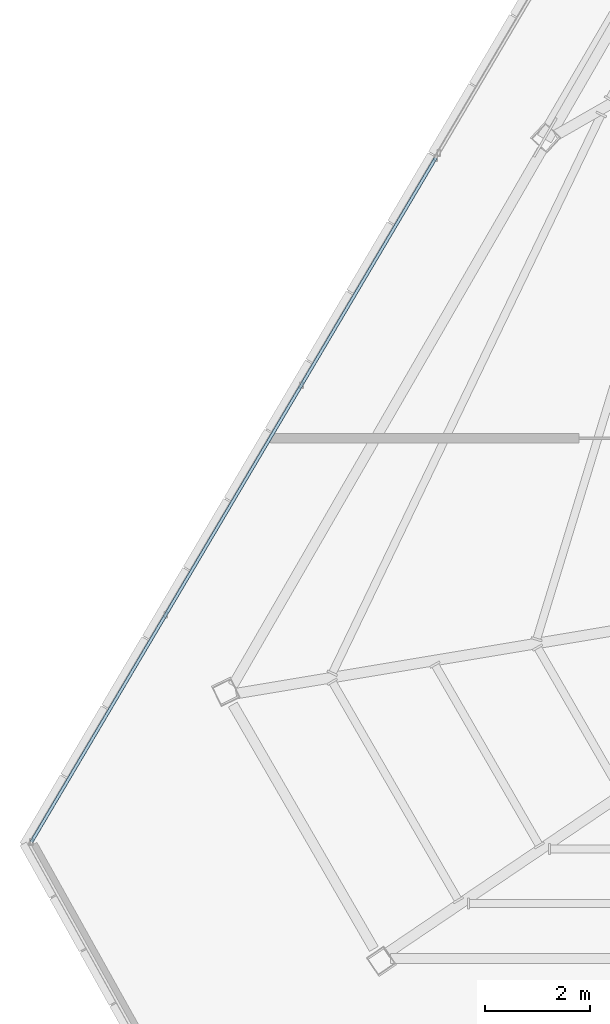
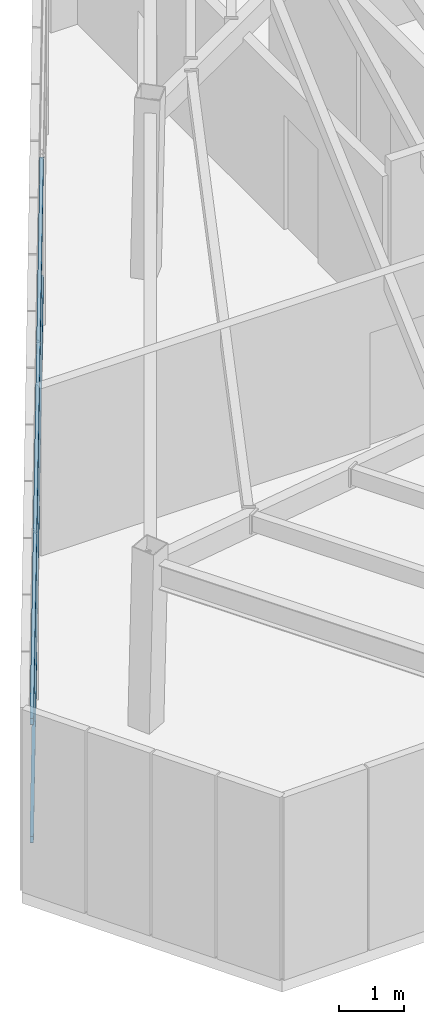
# One storey, part 8 of 47: 2 members, 1 element without a shape of its own.
"""IFC4 building model written with IfcOpenShell, lengths in metres."""

from ifc_helpers import new_model, si_unit, direction, frame, origin, origin_2d, place, context, subcontext, project, spatial, hollow_rectangle, extrude, source, transform, mapped, material, material_profile, profile_set, type_object, type_shapes, element, aggregate, save


model = new_model("IFC4")

# Units and contexts
model_context = context("Model", 3, precision=1e-05, world=origin(), true_north=direction((0.0, 1.0)))
body_context = subcontext(model_context, "Body", "Model", "MODEL_VIEW")
ifc_project = project(units=[si_unit("LENGTHUNIT", "METRE"), si_unit("AREAUNIT", "SQUARE_METRE"), si_unit("VOLUMEUNIT", "CUBIC_METRE"), si_unit("PLANEANGLEUNIT", "RADIAN"), si_unit("MASSUNIT", "GRAM", prefix="KILO")], contexts=[model_context])

# Site, building, storey
site_placement = place(None, origin())
site = spatial("IfcSite", under=ifc_project, at=site_placement, CompositionType="ELEMENT")
building_placement = place(site_placement, origin())
building = spatial("IfcBuilding", under=site, at=building_placement, Name="Caelisora Broadcast Tower", CompositionType="ELEMENT")
storey_placement = place(building_placement, frame((0.0, 0.0, 293.199951171875)))
storey = spatial("IfcBuildingStorey", under=building, at=storey_placement, Name="L77", CompositionType="ELEMENT", Elevation=293.199951171875)

# Curtain wall, members
ifc_material_1 = material(Name="Unitised Aluminium Insulated Shadow-Box Spandrel Curtain Wall", Category="aluminium")
curtain_wall_type = type_object("IfcCurtainWallType", Name="CW-SP3", PredefinedType="NOTDEFINED", material=ifc_material_1)
curtain_wall_placement = place(storey_placement, origin())
curtain_wall = element("IfcCurtainWall", 1, at=curtain_wall_placement, inside=storey, type_object=curtain_wall_type, Name="L77 curtain wall CW-SP3", PredefinedType="NOTDEFINED")
ifc_material_2 = material(Name="Aluminium 6063-T6 Anodised Terracotta Bronze", Category="aluminium")
ifc_material_profile = material_profile(ifc_material_2, hollow_rectangle(XDim=0.06005859375, YDim=0.1201171875, WallThickness=0.0029296875, at=origin_2d()), Name="Aluminium 6063-T6 Anodised Terracotta Bronze")
ifc_profile_set = profile_set([ifc_material_profile], Name="Aluminium 6063-T6 Anodised Terracotta Bronze")
member_type = type_object("IfcMemberType", Name="CWT-03", PredefinedType="USERDEFINED", material=ifc_profile_set)
shared_shape = source(origin(), body_context, "Body", "SweptSolid", [
    extrude(hollow_rectangle(XDim=0.06005859375, YDim=0.1201171875, WallThickness=0.0029296875, at=origin_2d()), origin(), (0.0, 0.0, 1.0), 15.08349609375),
])
type_shapes(member_type, [shared_shape])
member_1_placement = place(storey_placement, frame((13.140380859375, 12.3359375, 0.85009765625), z_axis=(0.508774027389, 0.860900103992, 0.0), x_axis=(-0.860900103992, 0.508774027389, 0.0)))
member_1 = element("IfcMember", 2, at=member_1_placement, type_object=member_type, Name="L77-CW-B09 transom #1", ObjectType="TRANSOM", PredefinedType="USERDEFINED", context=body_context, shape_type="MappedRepresentation", body=[
    mapped(shared_shape, transform((0.0, 0.0, 0.0), scale=1.0)),
])
member_2_placement = place(storey_placement, frame((13.140380859375, 12.3359375, 3.070068359375), z_axis=(0.508774027389, 0.860900103992, 0.0), x_axis=(-0.860900103992, 0.508774027389, 0.0)))
member_2 = element("IfcMember", 3, at=member_2_placement, type_object=member_type, Name="L77-CW-B09 transom #2", ObjectType="TRANSOM", PredefinedType="USERDEFINED", context=body_context, shape_type="MappedRepresentation", body=[
    mapped(shared_shape, transform((0.0, 0.0, 0.0), scale=1.0)),
])
aggregate(curtain_wall, [member_1, member_2])

save(model, "model.ifc")
